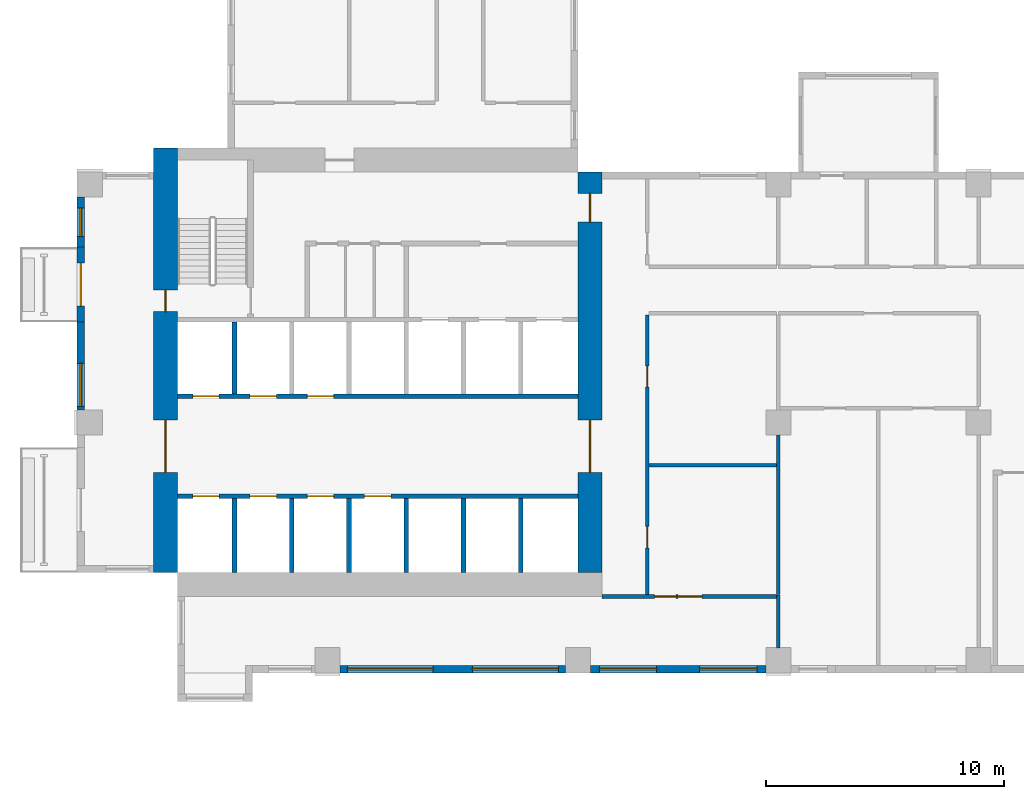
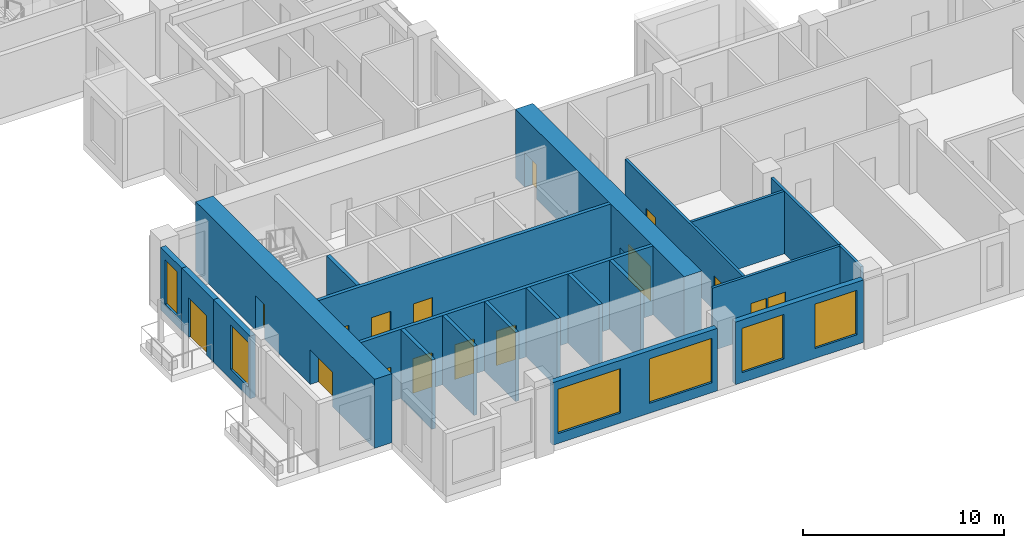
# One storey, part 2 of 14: 21 walls, 16 doors, 6 windows, 22 openings.
"""IFC4 building model written with IfcOpenShell, lengths in metres."""

from ifc_helpers import new_model, si_unit, direction, frame, frame_2d, origin, place, context, subcontext, project, spatial, rectangle, extrude, source, transform, mapped, material, layer, layer_set, type_object, element, fill, save


model = new_model("IFC4")

# Units and contexts
model_context = context("Model", 3, precision=1e-05, world=origin(), true_north=direction((0.0, 1.0)))
body_context = subcontext(model_context, "Body", "Model", "MODEL_VIEW")
ifc_project = project(units=[si_unit("LENGTHUNIT", "METRE"), si_unit("AREAUNIT", "SQUARE_METRE"), si_unit("VOLUMEUNIT", "CUBIC_METRE"), si_unit("PLANEANGLEUNIT", "RADIAN"), si_unit("MASSUNIT", "GRAM", prefix="KILO")], contexts=[model_context])

# Site, building, storey
site_placement = place(None, origin())
site = spatial("IfcSite", under=ifc_project, at=site_placement, CompositionType="ELEMENT")
building_placement = place(site_placement, origin())
building = spatial("IfcBuilding", under=site, at=building_placement, Name="Aurelian Terraces", CompositionType="ELEMENT")
storey_placement = place(building_placement, frame((0.0, 0.0, 141.3)))
storey = spatial("IfcBuildingStorey", under=building, at=storey_placement, Name="L31", CompositionType="ELEMENT", Elevation=141.3)

# Wall
ifc_material_1 = material(Name="Gypsum board on steel studs", Category="steel")
ifc_layer_1 = layer(ifc_material_1, 0.15)
ifc_layer_set_1 = layer_set([ifc_layer_1], Name="Partition 150")
wall_type_1 = type_object("IfcWallType", Name="Partition 150", PredefinedType="PARTITIONING", material=ifc_layer_set_1)
wall_1_placement = place(storey_placement, frame((29.325, 8.7, 0.0), z_axis=(0.0, 0.0, 1.0), x_axis=(-1.0, 0.0, 0.0)))
element("IfcWall", 1, at=wall_1_placement, inside=storey, type_object=wall_type_1, Name="Partition", PredefinedType="PARTITIONING", context=body_context, shape_type="SweptSolid", body=[
    extrude(rectangle(XDim=5.35, YDim=0.15, at=frame_2d((2.675, 0.0))), origin(), (0.0, 0.0, 1.0), 3.8),
])

# Wall, openings, doors
ifc_material_2 = material(Name="Concrete fc' 83 MPa", Category="concrete")
ifc_layer_2 = layer(ifc_material_2, 1.0)
ifc_layer_set_2 = layer_set([ifc_layer_2], Name="CORE WALL 1000 FC83")
wall_type_2 = type_object("IfcWallType", Name="CORE WALL 1000 FC83", PredefinedType="SHEAR", material=ifc_layer_set_2)
shared_shape_1 = source(origin(), body_context, "Body", "SweptSolid", [
    extrude(rectangle(XDim=17.8, YDim=1.0, at=frame_2d((8.9, 0.0))), origin(), (0.0, 0.0, 1.0), 4.2),
])
wall_2_placement = place(storey_placement, frame((3.7, 4.2, 0.0), z_axis=(0.0, 0.0, 1.0), x_axis=(0.0, 1.0, 0.0)))
wall_2 = element("IfcWall", 2, at=wall_2_placement, inside=storey, type_object=wall_type_2, Name="Core wall W L31", PredefinedType="SHEAR", context=body_context, shape_type="MappedRepresentation", body=[
    mapped(shared_shape_1, transform((0.0, 0.0, 0.0), scale=1.0)),
])
shared_shape_2 = source(origin(), body_context, "Body", "SweptSolid", [
    extrude(rectangle(XDim=2.2, YDim=2.1, at=frame_2d((1.1, 1.05))), frame((0.0, 0.51, 0.0), z_axis=(0.0, -1.0, 0.0), x_axis=(1.0, 0.0, 0.0)), (0.0, 0.0, 1.0), 1.02),
])
opening_1_placement = place(wall_2_placement, frame((4.2, 0.0, 0.0)))
opening_1 = element("IfcOpeningElement", 3, at=opening_1_placement, cuts=wall_2, Name="Opening 63422", PredefinedType="OPENING", context=body_context, shape_type="MappedRepresentation", body=[
    mapped(shared_shape_2, transform((0.0, 0.0, 0.0), scale=1.0)),
])
shared_shape_3 = source(origin(), body_context, "Body", "SweptSolid", [
    extrude(rectangle(XDim=0.9, YDim=2.1, at=frame_2d((0.45, 1.05))), frame((0.0, 0.51, 0.0), z_axis=(0.0, -1.0, 0.0), x_axis=(1.0, 0.0, 0.0)), (0.0, 0.0, 1.0), 1.02),
])
opening_2_placement = place(wall_2_placement, frame((10.95, 0.0, 0.0)))
opening_2 = element("IfcOpeningElement", 4, at=opening_2_placement, cuts=wall_2, Name="Opening 63425", PredefinedType="OPENING", context=body_context, shape_type="MappedRepresentation", body=[
    mapped(shared_shape_3, transform((0.0, 0.0, 0.0), scale=1.0)),
])
ifc_material_3 = material(Name="Steel door leaf", Category="steel")
door_type_1 = type_object("IfcDoorType", Name="Core service door 900x2100", OperationType="SINGLE_SWING_LEFT", PredefinedType="DOOR", material=ifc_material_3)
shared_shape_4 = source(origin(), body_context, "Body", "SweptSolid", [
    extrude(rectangle(XDim=0.9, YDim=2.1, at=frame_2d((0.45, 1.05))), frame((0.0, 0.025, 0.0), z_axis=(0.0, -1.0, 0.0), x_axis=(1.0, 0.0, 0.0)), (0.0, 0.0, 1.0), 0.05),
])
door_1_placement = place(opening_2_placement, origin())
door_1 = element("IfcDoor", 5, at=door_1_placement, inside=storey, type_object=door_type_1, Name="Core door 63425", OperationType="SINGLE_SWING_LEFT", OverallHeight=2.1, OverallWidth=0.9, PredefinedType="DOOR", context=body_context, shape_type="MappedRepresentation", body=[
    mapped(shared_shape_4, transform((0.0, 0.0, 0.0), scale=1.0)),
])
fill(opening_2, door_1)
door_type_2 = type_object("IfcDoorType", Name="Core double door 2200x2100", OperationType="DOUBLE_DOOR_SINGLE_SWING", PredefinedType="DOOR", material=ifc_material_3)
shared_shape_5 = source(origin(), body_context, "Body", "SweptSolid", [
    extrude(rectangle(XDim=2.2, YDim=2.1, at=frame_2d((1.1, 1.05))), frame((0.0, 0.025, 0.0), z_axis=(0.0, -1.0, 0.0), x_axis=(1.0, 0.0, 0.0)), (0.0, 0.0, 1.0), 0.05),
])
door_2_placement = place(opening_1_placement, origin())
door_2 = element("IfcDoor", 6, at=door_2_placement, inside=storey, type_object=door_type_2, Name="Core door 63422", OperationType="DOUBLE_DOOR_SINGLE_SWING", OverallHeight=2.1, OverallWidth=2.2, PredefinedType="DOOR", context=body_context, shape_type="MappedRepresentation", body=[
    mapped(shared_shape_5, transform((0.0, 0.0, 0.0), scale=1.0)),
])
fill(opening_1, door_2)

shared_shape_6 = source(origin(), body_context, "Body", "SweptSolid", [
    extrude(rectangle(XDim=16.8, YDim=1.0, at=frame_2d((8.4, 0.0))), origin(), (0.0, 0.0, 1.0), 4.2),
])
wall_3_placement = place(storey_placement, frame((21.5, 4.2, 0.0), z_axis=(0.0, 0.0, 1.0), x_axis=(0.0, 1.0, 0.0)))
wall_3 = element("IfcWall", 7, at=wall_3_placement, inside=storey, type_object=wall_type_2, Name="Core wall E L31", PredefinedType="SHEAR", context=body_context, shape_type="MappedRepresentation", body=[
    mapped(shared_shape_6, transform((0.0, 0.0, 0.0), scale=1.0)),
])
opening_3_placement = place(wall_3_placement, frame((4.2, 0.0, 0.0)))
opening_3 = element("IfcOpeningElement", 8, at=opening_3_placement, cuts=wall_3, Name="Opening 63421", PredefinedType="OPENING", context=body_context, shape_type="MappedRepresentation", body=[
    mapped(shared_shape_2, transform((0.0, 0.0, 0.0), scale=1.0)),
])
shared_shape_7 = source(origin(), body_context, "Body", "SweptSolid", [
    extrude(rectangle(XDim=1.2, YDim=2.1, at=frame_2d((0.6, 1.05))), frame((0.0, 0.51, 0.0), z_axis=(0.0, -1.0, 0.0), x_axis=(1.0, 0.0, 0.0)), (0.0, 0.0, 1.0), 1.02),
])
opening_4_placement = place(wall_3_placement, frame((14.7, 0.0, 0.0)))
opening_4 = element("IfcOpeningElement", 9, at=opening_4_placement, cuts=wall_3, Name="Opening 63424", PredefinedType="OPENING", context=body_context, shape_type="MappedRepresentation", body=[
    mapped(shared_shape_7, transform((0.0, 0.0, 0.0), scale=1.0)),
])
door_type_3 = type_object("IfcDoorType", Name="Core fire door 1200x2100 right", OperationType="SINGLE_SWING_RIGHT", PredefinedType="DOOR", material=ifc_material_3)
shared_shape_8 = source(origin(), body_context, "Body", "SweptSolid", [
    extrude(rectangle(XDim=1.2, YDim=2.1, at=frame_2d((0.6, 1.05))), frame((0.0, 0.025, 0.0), z_axis=(0.0, -1.0, 0.0), x_axis=(1.0, 0.0, 0.0)), (0.0, 0.0, 1.0), 0.05),
])
door_3_placement = place(opening_4_placement, origin())
door_3 = element("IfcDoor", 10, at=door_3_placement, inside=storey, type_object=door_type_3, Name="Core door 63424", OperationType="SINGLE_SWING_RIGHT", OverallHeight=2.1, OverallWidth=1.2, PredefinedType="DOOR", context=body_context, shape_type="MappedRepresentation", body=[
    mapped(shared_shape_8, transform((0.0, 0.0, 0.0), scale=1.0)),
])
fill(opening_4, door_3)
door_4_placement = place(opening_3_placement, origin())
door_4 = element("IfcDoor", 11, at=door_4_placement, inside=storey, type_object=door_type_2, Name="Core door 63421", OperationType="DOUBLE_DOOR_SINGLE_SWING", OverallHeight=2.1, OverallWidth=2.2, PredefinedType="DOOR", context=body_context, shape_type="MappedRepresentation", body=[
    mapped(shared_shape_5, transform((0.0, 0.0, 0.0), scale=1.0)),
])
fill(opening_3, door_4)

# Wall, opening, door
ifc_material_4 = material(Name="Terracotta rainscreen cladding", Category="masonry")
ifc_layer_3 = layer(ifc_material_4, 0.3)
ifc_layer_set_3 = layer_set([ifc_layer_3], Name="EW-300")
wall_type_3 = type_object("IfcWallType", Name="EW-300", PredefinedType="STANDARD", material=ifc_layer_set_3)
shared_shape_9 = source(origin(), body_context, "Body", "SweptSolid", [
    extrude(rectangle(XDim=3.15, YDim=0.3, at=frame_2d((1.575, 0.0))), origin(), (0.0, 0.0, 1.0), 3.8),
])
wall_4_placement = place(storey_placement, frame((0.15, 17.85, 0.0), z_axis=(0.0, 0.0, 1.0), x_axis=(0.0, -1.0, 0.0)))
wall_4 = element("IfcWall", 12, at=wall_4_placement, inside=storey, type_object=wall_type_3, Name="External wall L31 F20.37", PredefinedType="STANDARD", context=body_context, shape_type="MappedRepresentation", body=[
    mapped(shared_shape_9, transform((0.0, 0.0, 0.0), scale=1.0)),
])
shared_shape_10 = source(origin(), body_context, "Body", "SweptSolid", [
    extrude(rectangle(XDim=1.8, YDim=2.4, at=frame_2d((0.9, 1.2))), frame((0.0, 0.16, 0.0), z_axis=(0.0, -1.0, 0.0), x_axis=(1.0, 0.0, 0.0)), (0.0, 0.0, 1.0), 0.32),
])
opening_5_placement = place(wall_4_placement, frame((0.675, 0.0, 0.0)))
opening_5 = element("IfcOpeningElement", 13, at=opening_5_placement, cuts=wall_4, Name="Opening 83101", PredefinedType="OPENING", context=body_context, shape_type="MappedRepresentation", body=[
    mapped(shared_shape_10, transform((0.0, 0.0, 0.0), scale=1.0)),
])
ifc_material_5 = material(Name="Clear glazing", Category="glass")
door_type_4 = type_object("IfcDoorType", Name="BD-1800x2400", OperationType="SLIDING_TO_LEFT", PredefinedType="DOOR", material=ifc_material_5)
shared_shape_11 = source(origin(), body_context, "Body", "SweptSolid", [
    extrude(rectangle(XDim=1.8, YDim=2.4, at=frame_2d((0.9, 1.2))), frame((0.0, 0.025, 0.0), z_axis=(0.0, -1.0, 0.0), x_axis=(1.0, 0.0, 0.0)), (0.0, 0.0, 1.0), 0.05),
])
door_5_placement = place(opening_5_placement, origin())
door_5 = element("IfcDoor", 14, at=door_5_placement, inside=storey, type_object=door_type_4, Name="Balcony door L31 F20.37", OperationType="SLIDING_TO_LEFT", OverallHeight=2.4, OverallWidth=1.8, PredefinedType="DOOR", context=body_context, shape_type="MappedRepresentation", body=[
    mapped(shared_shape_11, transform((0.0, 0.0, 0.0), scale=1.0)),
])
fill(opening_5, door_5)

# Wall, openings, windows
shared_shape_12 = source(origin(), body_context, "Body", "SweptSolid", [
    extrude(rectangle(XDim=7.35, YDim=0.3, at=frame_2d((3.675, 0.0))), origin(), (0.0, 0.0, 1.0), 3.8),
])
wall_5_placement = place(storey_placement, frame((21.525, 0.15, 0.0), z_axis=(0.0, 0.0, 1.0), x_axis=(1.0, 0.0, 0.0)))
wall_5 = element("IfcWall", 15, at=wall_5_placement, inside=storey, type_object=wall_type_3, Name="External wall L31 F01.4", PredefinedType="STANDARD", context=body_context, shape_type="MappedRepresentation", body=[
    mapped(shared_shape_12, transform((0.0, 0.0, 0.0), scale=1.0)),
])
shared_shape_13 = source(origin(), body_context, "Body", "SweptSolid", [
    extrude(rectangle(XDim=2.4, YDim=2.7, at=frame_2d((1.2, 1.35))), frame((0.0, 0.16, 0.0), z_axis=(0.0, -1.0, 0.0), x_axis=(1.0, 0.0, 0.0)), (0.0, 0.0, 1.0), 0.32),
])
opening_6_placement = place(wall_5_placement, frame((0.375, 0.0, 0.6)))
opening_6 = element("IfcOpeningElement", 16, at=opening_6_placement, cuts=wall_5, Name="Opening W2427", PredefinedType="OPENING", context=body_context, shape_type="MappedRepresentation", body=[
    mapped(shared_shape_13, transform((0.0, 0.0, 0.0), scale=1.0)),
])
opening_7_placement = place(wall_5_placement, frame((4.575, 0.0, 0.6)))
opening_7 = element("IfcOpeningElement", 17, at=opening_7_placement, cuts=wall_5, Name="Opening W2427", PredefinedType="OPENING", context=body_context, shape_type="MappedRepresentation", body=[
    mapped(shared_shape_13, transform((0.0, 0.0, 0.0), scale=1.0)),
])
window_type_1 = type_object("IfcWindowType", Name="W-2400x2700", PartitioningType="SINGLE_PANEL", PredefinedType="WINDOW", material=ifc_material_5)
shared_shape_14 = source(origin(), body_context, "Body", "SweptSolid", [
    extrude(rectangle(XDim=2.4, YDim=2.7, at=frame_2d((1.2, 1.35))), frame((0.0, 0.03, 0.0), z_axis=(0.0, -1.0, 0.0), x_axis=(1.0, 0.0, 0.0)), (0.0, 0.0, 1.0), 0.06),
])
window_1_placement = place(opening_6_placement, origin())
window_1 = element("IfcWindow", 18, at=window_1_placement, inside=storey, type_object=window_type_1, Name="Window L31 L31-F01-04-0", OverallHeight=2.7, OverallWidth=2.4, PartitioningType="SINGLE_PANEL", PredefinedType="WINDOW", context=body_context, shape_type="MappedRepresentation", body=[
    mapped(shared_shape_14, transform((0.0, 0.0, 0.0), scale=1.0)),
])
fill(opening_6, window_1)
window_2_placement = place(opening_7_placement, origin())
window_2 = element("IfcWindow", 19, at=window_2_placement, inside=storey, type_object=window_type_1, Name="Window L31 L31-F01-04-1", OverallHeight=2.7, OverallWidth=2.4, PartitioningType="SINGLE_PANEL", PredefinedType="WINDOW", context=body_context, shape_type="MappedRepresentation", body=[
    mapped(shared_shape_14, transform((0.0, 0.0, 0.0), scale=1.0)),
])
fill(opening_7, window_2)

# Wall, opening, window
shared_shape_15 = source(origin(), body_context, "Body", "SweptSolid", [
    extrude(rectangle(XDim=2.1, YDim=0.3, at=frame_2d((1.05, 0.0))), origin(), (0.0, 0.0, 1.0), 3.8),
])
wall_6_placement = place(storey_placement, frame((0.15, 19.95, 0.0), z_axis=(0.0, 0.0, 1.0), x_axis=(0.0, -1.0, 0.0)))
wall_6 = element("IfcWall", 20, at=wall_6_placement, inside=storey, type_object=wall_type_3, Name="External wall L31 F20.36", PredefinedType="STANDARD", context=body_context, shape_type="MappedRepresentation", body=[
    mapped(shared_shape_15, transform((0.0, 0.0, 0.0), scale=1.0)),
])
shared_shape_16 = source(origin(), body_context, "Body", "SweptSolid", [
    extrude(rectangle(XDim=1.2, YDim=2.7, at=frame_2d((0.6, 1.35))), frame((0.0, 0.16, 0.0), z_axis=(0.0, -1.0, 0.0), x_axis=(1.0, 0.0, 0.0)), (0.0, 0.0, 1.0), 0.32),
])
opening_8_placement = place(wall_6_placement, frame((0.45, 0.0, 0.6)))
opening_8 = element("IfcOpeningElement", 21, at=opening_8_placement, cuts=wall_6, Name="Opening W1227", PredefinedType="OPENING", context=body_context, shape_type="MappedRepresentation", body=[
    mapped(shared_shape_16, transform((0.0, 0.0, 0.0), scale=1.0)),
])
window_type_2 = type_object("IfcWindowType", Name="W-1200x2700", PartitioningType="SINGLE_PANEL", PredefinedType="WINDOW", material=ifc_material_5)
shared_shape_17 = source(origin(), body_context, "Body", "SweptSolid", [
    extrude(rectangle(XDim=1.2, YDim=2.7, at=frame_2d((0.6, 1.35))), frame((0.0, 0.03, 0.0), z_axis=(0.0, -1.0, 0.0), x_axis=(1.0, 0.0, 0.0)), (0.0, 0.0, 1.0), 0.06),
])
window_3_placement = place(opening_8_placement, origin())
window_3 = element("IfcWindow", 22, at=window_3_placement, inside=storey, type_object=window_type_2, Name="Window L31 L31-F20-36-P0", OverallHeight=2.7, OverallWidth=1.2, PartitioningType="SINGLE_PANEL", PredefinedType="WINDOW", context=body_context, shape_type="MappedRepresentation", body=[
    mapped(shared_shape_17, transform((0.0, 0.0, 0.0), scale=1.0)),
])
fill(opening_8, window_3)

# Wall, openings, windows
shared_shape_18 = source(origin(), body_context, "Body", "SweptSolid", [
    extrude(rectangle(XDim=9.45, YDim=0.3, at=frame_2d((4.725, 0.0))), origin(), (0.0, 0.0, 1.0), 3.8),
])
wall_7_placement = place(storey_placement, frame((11.025, 0.15, 0.0), z_axis=(0.0, 0.0, 1.0), x_axis=(1.0, 0.0, 0.0)))
wall_7 = element("IfcWall", 23, at=wall_7_placement, inside=storey, type_object=wall_type_3, Name="External wall L31 F01.3", PredefinedType="STANDARD", context=body_context, shape_type="MappedRepresentation", body=[
    mapped(shared_shape_18, transform((0.0, 0.0, 0.0), scale=1.0)),
])
shared_shape_19 = source(origin(), body_context, "Body", "SweptSolid", [
    extrude(rectangle(XDim=3.6, YDim=2.7, at=frame_2d((1.8, 1.35))), frame((0.0, 0.16, 0.0), z_axis=(0.0, -1.0, 0.0), x_axis=(1.0, 0.0, 0.0)), (0.0, 0.0, 1.0), 0.32),
])
opening_9_placement = place(wall_7_placement, frame((0.3, 0.0, 0.6)))
opening_9 = element("IfcOpeningElement", 24, at=opening_9_placement, cuts=wall_7, Name="Opening W3627", PredefinedType="OPENING", context=body_context, shape_type="MappedRepresentation", body=[
    mapped(shared_shape_19, transform((0.0, 0.0, 0.0), scale=1.0)),
])
opening_10_placement = place(wall_7_placement, frame((5.55, 0.0, 0.6)))
opening_10 = element("IfcOpeningElement", 25, at=opening_10_placement, cuts=wall_7, Name="Opening W3627", PredefinedType="OPENING", context=body_context, shape_type="MappedRepresentation", body=[
    mapped(shared_shape_19, transform((0.0, 0.0, 0.0), scale=1.0)),
])
window_type_3 = type_object("IfcWindowType", Name="W-3600x2700", PartitioningType="SINGLE_PANEL", PredefinedType="WINDOW", material=ifc_material_5)
shared_shape_20 = source(origin(), body_context, "Body", "SweptSolid", [
    extrude(rectangle(XDim=3.6, YDim=2.7, at=frame_2d((1.8, 1.35))), frame((0.0, 0.03, 0.0), z_axis=(0.0, -1.0, 0.0), x_axis=(1.0, 0.0, 0.0)), (0.0, 0.0, 1.0), 0.06),
])
window_4_placement = place(opening_9_placement, origin())
window_4 = element("IfcWindow", 26, at=window_4_placement, inside=storey, type_object=window_type_3, Name="Window L31 L31-F01-03-0", OverallHeight=2.7, OverallWidth=3.6, PartitioningType="SINGLE_PANEL", PredefinedType="WINDOW", context=body_context, shape_type="MappedRepresentation", body=[
    mapped(shared_shape_20, transform((0.0, 0.0, 0.0), scale=1.0)),
])
fill(opening_9, window_4)
window_5_placement = place(opening_10_placement, origin())
window_5 = element("IfcWindow", 27, at=window_5_placement, inside=storey, type_object=window_type_3, Name="Window L31 L31-F01-03-1", OverallHeight=2.7, OverallWidth=3.6, PartitioningType="SINGLE_PANEL", PredefinedType="WINDOW", context=body_context, shape_type="MappedRepresentation", body=[
    mapped(shared_shape_20, transform((0.0, 0.0, 0.0), scale=1.0)),
])
fill(opening_10, window_5)

# Wall, opening, window
shared_shape_21 = source(origin(), body_context, "Body", "SweptSolid", [
    extrude(rectangle(XDim=3.675, YDim=0.3, at=frame_2d((1.8375, 0.0))), origin(), (0.0, 0.0, 1.0), 3.8),
])
wall_8_placement = place(storey_placement, frame((0.15, 14.7, 0.0), z_axis=(0.0, 0.0, 1.0), x_axis=(0.0, -1.0, 0.0)))
wall_8 = element("IfcWall", 28, at=wall_8_placement, inside=storey, type_object=wall_type_3, Name="External wall L31 F20.38", PredefinedType="STANDARD", context=body_context, shape_type="MappedRepresentation", body=[
    mapped(shared_shape_21, transform((0.0, 0.0, 0.0), scale=1.0)),
])
shared_shape_22 = source(origin(), body_context, "Body", "SweptSolid", [
    extrude(rectangle(XDim=1.8, YDim=2.7, at=frame_2d((0.9, 1.35))), frame((0.0, 0.16, 0.0), z_axis=(0.0, -1.0, 0.0), x_axis=(1.0, 0.0, 0.0)), (0.0, 0.0, 1.0), 0.32),
])
opening_11_placement = place(wall_8_placement, frame((1.725, 0.0, 0.6)))
opening_11 = element("IfcOpeningElement", 29, at=opening_11_placement, cuts=wall_8, Name="Opening W1827", PredefinedType="OPENING", context=body_context, shape_type="MappedRepresentation", body=[
    mapped(shared_shape_22, transform((0.0, 0.0, 0.0), scale=1.0)),
])
window_type_4 = type_object("IfcWindowType", Name="W-1800x2700", PartitioningType="SINGLE_PANEL", PredefinedType="WINDOW", material=ifc_material_5)
shared_shape_23 = source(origin(), body_context, "Body", "SweptSolid", [
    extrude(rectangle(XDim=1.8, YDim=2.7, at=frame_2d((0.9, 1.35))), frame((0.0, 0.03, 0.0), z_axis=(0.0, -1.0, 0.0), x_axis=(1.0, 0.0, 0.0)), (0.0, 0.0, 1.0), 0.06),
])
window_6_placement = place(opening_11_placement, origin())
window_6 = element("IfcWindow", 30, at=window_6_placement, inside=storey, type_object=window_type_4, Name="Window L31 L31-F20-38-0", OverallHeight=2.7, OverallWidth=1.8, PartitioningType="SINGLE_PANEL", PredefinedType="WINDOW", context=body_context, shape_type="MappedRepresentation", body=[
    mapped(shared_shape_23, transform((0.0, 0.0, 0.0), scale=1.0)),
])
fill(opening_11, window_6)

# Walls
ifc_material_6 = material(Name="Concrete fc' 40 MPa", Category="concrete")
ifc_layer_4 = layer(ifc_material_6, 0.2)
ifc_layer_set_4 = layer_set([ifc_layer_4], Name="Lift shaft wall 200")
wall_type_4 = type_object("IfcWallType", Name="Lift shaft wall 200", PredefinedType="SOLIDWALL", material=ifc_layer_set_4)
shared_shape_24 = source(origin(), body_context, "Body", "SweptSolid", [
    extrude(rectangle(XDim=3.1, YDim=0.2, at=frame_2d((1.55, 0.0))), origin(), (0.0, 0.0, 1.0), 4.2),
])
for number, where, z_axis, x_axis, name in (
    (31, (6.6, 4.2, 0.0), (0.0, 0.0, 1.0), (0.0, 1.0, 0.0), "L31 core wall CD-A1"),
    (32, (9.0, 4.2, 0.0), (0.0, 0.0, 1.0), (0.0, 1.0, 0.0), "L31 core wall CD-A2"),
    (33, (11.4, 4.2, 0.0), (0.0, 0.0, 1.0), (0.0, 1.0, 0.0), "L31 core wall CD-A3"),
    (34, (13.8, 4.2, 0.0), (0.0, 0.0, 1.0), (0.0, 1.0, 0.0), "L31 core wall CD-A4"),
    (35, (16.2, 4.2, 0.0), (0.0, 0.0, 1.0), (0.0, 1.0, 0.0), "L31 core wall CD-A5"),
    (36, (18.6, 4.2, 0.0), (0.0, 0.0, 1.0), (0.0, 1.0, 0.0), "L31 core wall CD-A6"),
):
    element("IfcWall", number, at=place(storey_placement, frame(where, z_axis=z_axis, x_axis=x_axis)), inside=storey, type_object=wall_type_4, Name=name, PredefinedType="SOLIDWALL", context=body_context, shape_type="MappedRepresentation", body=[
        mapped(shared_shape_24, transform((0.0, 0.0, 0.0), scale=1.0)),
    ])
shared_shape_25 = source(origin(), body_context, "Body", "SweptSolid", [
    extrude(rectangle(XDim=3.0, YDim=0.2, at=frame_2d((1.5, 0.0))), origin(), (0.0, 0.0, 1.0), 4.2),
])
wall_9_placement = place(storey_placement, frame((6.6, 11.7, 0.0), z_axis=(0.0, 0.0, 1.0), x_axis=(0.0, 1.0, 0.0)))
element("IfcWall", 37, at=wall_9_placement, inside=storey, type_object=wall_type_4, Name="L31 core wall CD-B1", PredefinedType="SOLIDWALL", context=body_context, shape_type="MappedRepresentation", body=[
    mapped(shared_shape_25, transform((0.0, 0.0, 0.0), scale=1.0)),
])

# Wall, openings, doors
shared_shape_26 = source(origin(), body_context, "Body", "SweptSolid", [
    extrude(rectangle(XDim=16.8, YDim=0.2, at=frame_2d((8.4, 0.0))), origin(), (0.0, 0.0, 1.0), 4.2),
])
wall_10_placement = place(storey_placement, frame((4.2, 7.4, 0.0), z_axis=(0.0, 0.0, 1.0), x_axis=(1.0, 0.0, 0.0)))
wall_10 = element("IfcWall", 38, at=wall_10_placement, inside=storey, type_object=wall_type_4, Name="L31 core wall CF-AF1", PredefinedType="SOLIDWALL", context=body_context, shape_type="MappedRepresentation", body=[
    mapped(shared_shape_26, transform((0.0, 0.0, 0.0), scale=1.0)),
])
shared_shape_27 = source(origin(), body_context, "Body", "SweptSolid", [
    extrude(rectangle(XDim=1.1, YDim=2.1, at=frame_2d((0.55, 1.05))), frame((0.0, 0.11, 0.0), z_axis=(0.0, -1.0, 0.0), x_axis=(1.0, 0.0, 0.0)), (0.0, 0.0, 1.0), 0.22),
])
opening_12_placement = place(wall_10_placement, frame((0.65, 0.0, 0.0)))
opening_12 = element("IfcOpeningElement", 39, at=opening_12_placement, cuts=wall_10, Name="Opening 63400", PredefinedType="OPENING", context=body_context, shape_type="MappedRepresentation", body=[
    mapped(shared_shape_27, transform((0.0, 0.0, 0.0), scale=1.0)),
])
opening_13_placement = place(wall_10_placement, frame((3.05, 0.0, 0.0)))
opening_13 = element("IfcOpeningElement", 40, at=opening_13_placement, cuts=wall_10, Name="Opening 63401", PredefinedType="OPENING", context=body_context, shape_type="MappedRepresentation", body=[
    mapped(shared_shape_27, transform((0.0, 0.0, 0.0), scale=1.0)),
])
opening_14_placement = place(wall_10_placement, frame((5.45, 0.0, 0.0)))
opening_14 = element("IfcOpeningElement", 41, at=opening_14_placement, cuts=wall_10, Name="Opening 63402", PredefinedType="OPENING", context=body_context, shape_type="MappedRepresentation", body=[
    mapped(shared_shape_27, transform((0.0, 0.0, 0.0), scale=1.0)),
])
opening_15_placement = place(wall_10_placement, frame((7.85, 0.0, 0.0)))
opening_15 = element("IfcOpeningElement", 42, at=opening_15_placement, cuts=wall_10, Name="Opening 63403", PredefinedType="OPENING", context=body_context, shape_type="MappedRepresentation", body=[
    mapped(shared_shape_27, transform((0.0, 0.0, 0.0), scale=1.0)),
])
ifc_material_7 = material(Name="Stainless steel", Category="steel")
door_type_5 = type_object("IfcDoorType", Name="Lift landing door 1100x2100", OperationType="SLIDING_TO_LEFT", PredefinedType="DOOR", material=ifc_material_7)
shared_shape_28 = source(origin(), body_context, "Body", "SweptSolid", [
    extrude(rectangle(XDim=1.1, YDim=2.1, at=frame_2d((0.55, 1.05))), frame((0.0, 0.025, 0.0), z_axis=(0.0, -1.0, 0.0), x_axis=(1.0, 0.0, 0.0)), (0.0, 0.0, 1.0), 0.05),
])
door_6_placement = place(opening_12_placement, origin())
door_6 = element("IfcDoor", 43, at=door_6_placement, inside=storey, type_object=door_type_5, Name="Lift landing door LL1 L31", OperationType="SLIDING_TO_LEFT", OverallHeight=2.1, OverallWidth=1.1, PredefinedType="DOOR", context=body_context, shape_type="MappedRepresentation", body=[
    mapped(shared_shape_28, transform((0.0, 0.0, 0.0), scale=1.0)),
])
fill(opening_12, door_6)
door_7_placement = place(opening_13_placement, origin())
door_7 = element("IfcDoor", 44, at=door_7_placement, inside=storey, type_object=door_type_5, Name="Lift landing door LL2 L31", OperationType="SLIDING_TO_LEFT", OverallHeight=2.1, OverallWidth=1.1, PredefinedType="DOOR", context=body_context, shape_type="MappedRepresentation", body=[
    mapped(shared_shape_28, transform((0.0, 0.0, 0.0), scale=1.0)),
])
fill(opening_13, door_7)
door_8_placement = place(opening_14_placement, origin())
door_8 = element("IfcDoor", 45, at=door_8_placement, inside=storey, type_object=door_type_5, Name="Lift landing door LL3 L31", OperationType="SLIDING_TO_LEFT", OverallHeight=2.1, OverallWidth=1.1, PredefinedType="DOOR", context=body_context, shape_type="MappedRepresentation", body=[
    mapped(shared_shape_28, transform((0.0, 0.0, 0.0), scale=1.0)),
])
fill(opening_14, door_8)
door_9_placement = place(opening_15_placement, origin())
door_9 = element("IfcDoor", 46, at=door_9_placement, inside=storey, type_object=door_type_5, Name="Lift landing door LL4 L31", OperationType="SLIDING_TO_LEFT", OverallHeight=2.1, OverallWidth=1.1, PredefinedType="DOOR", context=body_context, shape_type="MappedRepresentation", body=[
    mapped(shared_shape_28, transform((0.0, 0.0, 0.0), scale=1.0)),
])
fill(opening_15, door_9)

wall_11_placement = place(storey_placement, frame((4.2, 11.6, 0.0), z_axis=(0.0, 0.0, 1.0), x_axis=(1.0, 0.0, 0.0)))
wall_11 = element("IfcWall", 47, at=wall_11_placement, inside=storey, type_object=wall_type_4, Name="L31 core wall CF-BF1", PredefinedType="SOLIDWALL", context=body_context, shape_type="MappedRepresentation", body=[
    mapped(shared_shape_26, transform((0.0, 0.0, 0.0), scale=1.0)),
])
opening_16_placement = place(wall_11_placement, frame((0.65, 0.0, 0.0)))
opening_16 = element("IfcOpeningElement", 48, at=opening_16_placement, cuts=wall_11, Name="Opening 63404", PredefinedType="OPENING", context=body_context, shape_type="MappedRepresentation", body=[
    mapped(shared_shape_27, transform((0.0, 0.0, 0.0), scale=1.0)),
])
opening_17_placement = place(wall_11_placement, frame((3.05, 0.0, 0.0)))
opening_17 = element("IfcOpeningElement", 49, at=opening_17_placement, cuts=wall_11, Name="Opening 63405", PredefinedType="OPENING", context=body_context, shape_type="MappedRepresentation", body=[
    mapped(shared_shape_27, transform((0.0, 0.0, 0.0), scale=1.0)),
])
opening_18_placement = place(wall_11_placement, frame((5.45, 0.0, 0.0)))
opening_18 = element("IfcOpeningElement", 50, at=opening_18_placement, cuts=wall_11, Name="Opening 63406", PredefinedType="OPENING", context=body_context, shape_type="MappedRepresentation", body=[
    mapped(shared_shape_27, transform((0.0, 0.0, 0.0), scale=1.0)),
])
door_10_placement = place(opening_16_placement, origin())
door_10 = element("IfcDoor", 51, at=door_10_placement, inside=storey, type_object=door_type_5, Name="Lift landing door LL5 L31", OperationType="SLIDING_TO_LEFT", OverallHeight=2.1, OverallWidth=1.1, PredefinedType="DOOR", context=body_context, shape_type="MappedRepresentation", body=[
    mapped(shared_shape_28, transform((0.0, 0.0, 0.0), scale=1.0)),
])
fill(opening_16, door_10)
door_11_placement = place(opening_17_placement, origin())
door_11 = element("IfcDoor", 52, at=door_11_placement, inside=storey, type_object=door_type_5, Name="Lift landing door LL6 L31", OperationType="SLIDING_TO_LEFT", OverallHeight=2.1, OverallWidth=1.1, PredefinedType="DOOR", context=body_context, shape_type="MappedRepresentation", body=[
    mapped(shared_shape_28, transform((0.0, 0.0, 0.0), scale=1.0)),
])
fill(opening_17, door_11)
door_12_placement = place(opening_18_placement, origin())
door_12 = element("IfcDoor", 53, at=door_12_placement, inside=storey, type_object=door_type_5, Name="Lift landing door LL7 L31", OperationType="SLIDING_TO_LEFT", OverallHeight=2.1, OverallWidth=1.1, PredefinedType="DOOR", context=body_context, shape_type="MappedRepresentation", body=[
    mapped(shared_shape_28, transform((0.0, 0.0, 0.0), scale=1.0)),
])
fill(opening_18, door_12)

# Walls
shared_shape_29 = source(origin(), body_context, "Body", "SweptSolid", [
    extrude(rectangle(XDim=6.701, YDim=0.15, at=frame_2d((3.3505, 0.0))), origin(), (0.0, 0.0, 1.0), 3.8),
])
wall_12_placement = place(storey_placement, frame((29.4, 3.275, 0.0), z_axis=(0.0, 0.0, 1.0), x_axis=(0.0, 1.0, 0.0)))
element("IfcWall", 54, at=wall_12_placement, inside=storey, type_object=wall_type_1, Name="Partition", PredefinedType="PARTITIONING", context=body_context, shape_type="MappedRepresentation", body=[
    mapped(shared_shape_29, transform((0.0, 0.0, 0.0), scale=1.0)),
])
shared_shape_30 = source(origin(), body_context, "Body", "SweptSolid", [
    extrude(rectangle(XDim=2.206, YDim=0.15, at=frame_2d((1.103, 0.0))), origin(), (0.0, 0.0, 1.0), 3.8),
])
wall_13_placement = place(storey_placement, frame((29.4, 1.049, 0.0), z_axis=(0.0, 0.0, 1.0), x_axis=(0.0, 1.0, 0.0)))
element("IfcWall", 55, at=wall_13_placement, inside=storey, type_object=wall_type_1, Name="Partition", PredefinedType="PARTITIONING", context=body_context, shape_type="MappedRepresentation", body=[
    mapped(shared_shape_30, transform((0.0, 0.0, 0.0), scale=1.0)),
])

# Wall, openings, doors
shared_shape_31 = source(origin(), body_context, "Body", "SweptSolid", [
    extrude(rectangle(XDim=7.325, YDim=0.15, at=frame_2d((3.6625, 0.0))), origin(), (0.0, 0.0, 1.0), 3.8),
])
wall_14_placement = place(storey_placement, frame((22.0, 3.2, 0.0), z_axis=(0.0, 0.0, 1.0), x_axis=(1.0, 0.0, 0.0)))
wall_14 = element("IfcWall", 56, at=wall_14_placement, inside=storey, type_object=wall_type_1, Name="Partition", PredefinedType="PARTITIONING", context=body_context, shape_type="MappedRepresentation", body=[
    mapped(shared_shape_31, transform((0.0, 0.0, 0.0), scale=1.0)),
])
shared_shape_32 = source(origin(), body_context, "Body", "SweptSolid", [
    extrude(rectangle(XDim=1.0, YDim=2.1, at=frame_2d((0.5, 1.05))), frame((0.0, 0.085, 0.0), z_axis=(0.0, -1.0, 0.0), x_axis=(1.0, 0.0, 0.0)), (0.0, 0.0, 1.0), 0.17),
])
opening_19_placement = place(wall_14_placement, frame((3.2, 0.0, 0.0)))
opening_19 = element("IfcOpeningElement", 57, at=opening_19_placement, cuts=wall_14, Name="Opening 731004", PredefinedType="OPENING", context=body_context, shape_type="MappedRepresentation", body=[
    mapped(shared_shape_32, transform((0.0, 0.0, 0.0), scale=1.0)),
])
shared_shape_33 = source(origin(), body_context, "Body", "SweptSolid", [
    extrude(rectangle(XDim=0.9, YDim=2.1, at=frame_2d((0.45, 1.05))), frame((0.0, 0.085, 0.0), z_axis=(0.0, -1.0, 0.0), x_axis=(1.0, 0.0, 0.0)), (0.0, 0.0, 1.0), 0.17),
])
opening_20_placement = place(wall_14_placement, frame((2.213, 0.0, 0.0)))
opening_20 = element("IfcOpeningElement", 58, at=opening_20_placement, cuts=wall_14, Name="Opening 731040", PredefinedType="OPENING", context=body_context, shape_type="MappedRepresentation", body=[
    mapped(shared_shape_33, transform((0.0, 0.0, 0.0), scale=1.0)),
])
ifc_material_8 = material(Name="Timber door leaf", Category="wood")
door_type_6 = type_object("IfcDoorType", Name="Room door 1000x2100 right", OperationType="SINGLE_SWING_RIGHT", PredefinedType="DOOR", material=ifc_material_8)
shared_shape_34 = source(origin(), body_context, "Body", "SweptSolid", [
    extrude(rectangle(XDim=1.0, YDim=2.1, at=frame_2d((0.5, 1.05))), frame((0.0, 0.025, 0.0), z_axis=(0.0, -1.0, 0.0), x_axis=(1.0, 0.0, 0.0)), (0.0, 0.0, 1.0), 0.05),
])
door_13_placement = place(opening_19_placement, origin())
door_13 = element("IfcDoor", 59, at=door_13_placement, inside=storey, type_object=door_type_6, Name="Door 731004", OperationType="SINGLE_SWING_RIGHT", OverallHeight=2.1, OverallWidth=1.0, PredefinedType="DOOR", context=body_context, shape_type="MappedRepresentation", body=[
    mapped(shared_shape_34, transform((0.0, 0.0, 0.0), scale=1.0)),
])
fill(opening_19, door_13)
door_type_7 = type_object("IfcDoorType", Name="Room door 900x2100 left", OperationType="SINGLE_SWING_LEFT", PredefinedType="DOOR", material=ifc_material_8)
door_14_placement = place(opening_20_placement, origin())
door_14 = element("IfcDoor", 60, at=door_14_placement, inside=storey, type_object=door_type_7, Name="Door 731040", OperationType="SINGLE_SWING_LEFT", OverallHeight=2.1, OverallWidth=0.9, PredefinedType="DOOR", context=body_context, shape_type="MappedRepresentation", body=[
    mapped(shared_shape_4, transform((0.0, 0.0, 0.0), scale=1.0)),
])
fill(opening_20, door_14)

shared_shape_35 = source(origin(), body_context, "Body", "SweptSolid", [
    extrude(rectangle(XDim=11.725, YDim=0.15, at=frame_2d((5.8625, 0.0))), origin(), (0.0, 0.0, 1.0), 3.8),
])
wall_15_placement = place(storey_placement, frame((23.9, 15.0, 0.0), z_axis=(0.0, 0.0, 1.0), x_axis=(0.0, -1.0, 0.0)))
wall_15 = element("IfcWall", 61, at=wall_15_placement, inside=storey, type_object=wall_type_1, Name="Partition", PredefinedType="PARTITIONING", context=body_context, shape_type="MappedRepresentation", body=[
    mapped(shared_shape_35, transform((0.0, 0.0, 0.0), scale=1.0)),
])
opening_21_placement = place(wall_15_placement, frame((8.8625, 0.0, 0.0)))
opening_21 = element("IfcOpeningElement", 62, at=opening_21_placement, cuts=wall_15, Name="Opening 731001", PredefinedType="OPENING", context=body_context, shape_type="MappedRepresentation", body=[
    mapped(shared_shape_33, transform((0.0, 0.0, 0.0), scale=1.0)),
])
opening_22_placement = place(wall_15_placement, frame((2.125, 0.0, 0.0)))
opening_22 = element("IfcOpeningElement", 63, at=opening_22_placement, cuts=wall_15, Name="Opening 731002", PredefinedType="OPENING", context=body_context, shape_type="MappedRepresentation", body=[
    mapped(shared_shape_33, transform((0.0, 0.0, 0.0), scale=1.0)),
])
door_15_placement = place(opening_21_placement, origin())
door_15 = element("IfcDoor", 64, at=door_15_placement, inside=storey, type_object=door_type_7, Name="Door 731001", OperationType="SINGLE_SWING_LEFT", OverallHeight=2.1, OverallWidth=0.9, PredefinedType="DOOR", context=body_context, shape_type="MappedRepresentation", body=[
    mapped(shared_shape_4, transform((0.0, 0.0, 0.0), scale=1.0)),
])
fill(opening_21, door_15)
door_type_8 = type_object("IfcDoorType", Name="Room door 900x2100 right", OperationType="SINGLE_SWING_RIGHT", PredefinedType="DOOR", material=ifc_material_8)
door_16_placement = place(opening_22_placement, origin())
door_16 = element("IfcDoor", 65, at=door_16_placement, inside=storey, type_object=door_type_8, Name="Door 731002", OperationType="SINGLE_SWING_RIGHT", OverallHeight=2.1, OverallWidth=0.9, PredefinedType="DOOR", context=body_context, shape_type="MappedRepresentation", body=[
    mapped(shared_shape_4, transform((0.0, 0.0, 0.0), scale=1.0)),
])
fill(opening_22, door_16)

save(model, "model.ifc")
